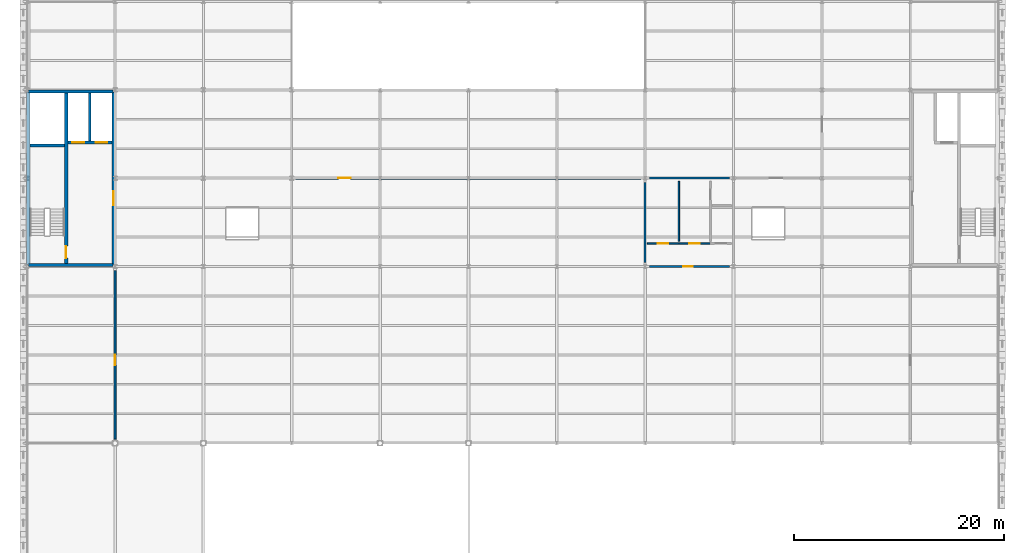
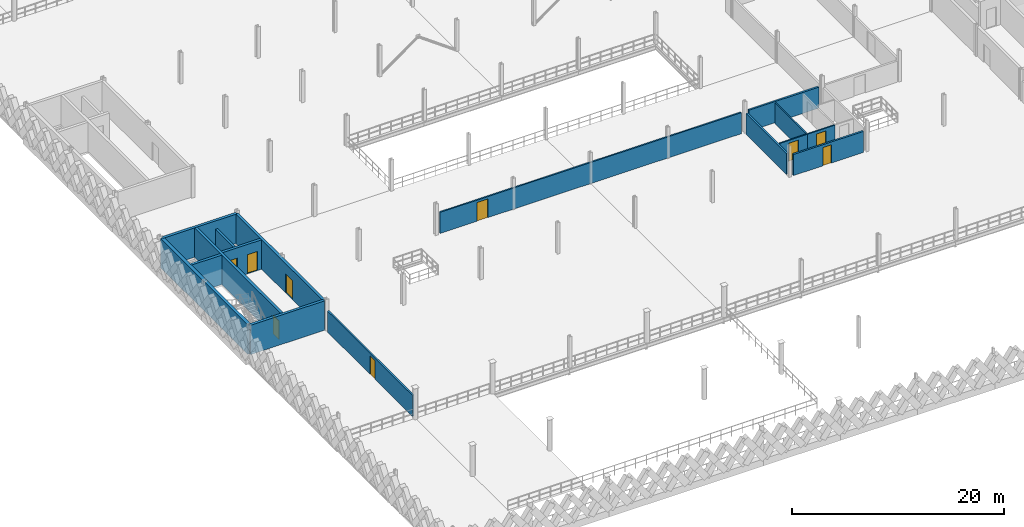
# One storey, part 39 of 47: 16 walls, 9 doors, 9 openings.
"""IFC4 building model written with IfcOpenShell, lengths in metres."""

from ifc_helpers import new_model, si_unit, direction, frame, frame_2d, origin, place, context, subcontext, project, spatial, rectangle, extrude, material, layer, layer_set, type_object, element, fill, save


model = new_model("IFC4")

# Units and contexts
model_context = context("Model", 3, precision=1e-05, world=origin(), true_north=direction((0.0, 1.0)))
body_context = subcontext(model_context, "Body", "Model", "MODEL_VIEW")
ifc_project = project(units=[si_unit("LENGTHUNIT", "METRE"), si_unit("AREAUNIT", "SQUARE_METRE"), si_unit("VOLUMEUNIT", "CUBIC_METRE"), si_unit("PLANEANGLEUNIT", "RADIAN"), si_unit("MASSUNIT", "GRAM", prefix="KILO"), si_unit("THERMODYNAMICTEMPERATUREUNIT", "KELVIN"), si_unit("POWERUNIT", "WATT")], contexts=[model_context])

# Site, building, storey
site_placement = place(None, origin())
site = spatial("IfcSite", under=ifc_project, at=site_placement, CompositionType="ELEMENT")
building_placement = place(site_placement, origin())
building = spatial("IfcBuilding", under=site, at=building_placement, Name="Tembeka Court Mobility Hub", CompositionType="ELEMENT")
storey_placement = place(building_placement, frame((0.0, 0.0, 19.800048828125)))
storey = spatial("IfcBuildingStorey", under=building, at=storey_placement, Name="L05", CompositionType="ELEMENT", Elevation=19.800048828125)

# Wall
ifc_material_1 = material(Name="Concrete C40/50", Category="concrete")
ifc_layer_1 = layer(ifc_material_1, 0.25)
ifc_layer_set_1 = layer_set([ifc_layer_1], Name="Concrete C40/50")
wall_type_1 = type_object("IfcWallType", Name="WL-IW01", PredefinedType="PARTITIONING", material=ifc_layer_set_1)
wall_1_placement = place(storey_placement, frame((6.0, 50.35009765625, 0.0), z_axis=(0.0, 0.0, 1.0), x_axis=(0.0, 1.0, 0.0)))
element("IfcWall", 1, at=wall_1_placement, inside=storey, type_object=wall_type_1, Name="Wall IW01 (IW-L05-0056)", PredefinedType="PARTITIONING", context=body_context, shape_type="SweptSolid", body=[
    extrude(rectangle(XDim=4.5498046875, YDim=0.25, at=frame_2d((2.27490234375, 0.0))), origin(), (0.0, 0.0, 1.0), 2.425048828125),
])

# Wall, opening, door
ifc_material_2 = material(Name="Concrete blockwork masonry", Category="masonry")
ifc_layer_2 = layer(ifc_material_2, 0.199951171875)
ifc_layer_set_2 = layer_set([ifc_layer_2], Name="Concrete blockwork masonry")
wall_type_2 = type_object("IfcWallType", Name="WL-IW02", PredefinedType="PARTITIONING", material=ifc_layer_set_2)
wall_2_placement = place(storey_placement, frame((59.199951171875, 38.39990234375, 0.0), z_axis=(0.0, 0.0, 1.0), x_axis=(1.0, 0.0, 0.0)))
wall_2 = element("IfcWall", 2, at=wall_2_placement, inside=storey, type_object=wall_type_2, Name="Wall IW02 (IW-L05-0396)", PredefinedType="PARTITIONING", context=body_context, shape_type="SweptSolid", body=[
    extrude(rectangle(XDim=7.60009765625, YDim=0.199951171875, at=frame_2d((3.800048828125, 0.0))), origin(), (0.0, 0.0, 1.0), 2.425048828125),
])
opening_1_placement = place(wall_2_placement, frame((3.199951171875, 0.0, 0.0)))
opening_1 = element("IfcOpeningElement", 3, at=opening_1_placement, cuts=wall_2, Name="Opening ID03", PredefinedType="OPENING", context=body_context, shape_type="SweptSolid", body=[
    extrude(rectangle(XDim=0.919921875, YDim=2.10009765625, at=frame_2d((0.4599609375, 1.050048828125))), frame((0.0, 0.10986328125, 0.0), z_axis=(0.0, -1.0, 0.0), x_axis=(1.0, 0.0, 0.0)), (0.0, 0.0, 1.0), 0.219970703125),
])
ifc_material_3 = material(Name="Galvanised steel fire/shutter doorset", Category="steel")
door_type_1 = type_object("IfcDoorType", Name="DR-ID03", OperationType="NOTDEFINED", PredefinedType="DOOR", material=ifc_material_3)
door_1_placement = place(opening_1_placement, origin())
door_1 = element("IfcDoor", 4, at=door_1_placement, inside=storey, type_object=door_type_1, Name="L05 washroom lobby entrance", OperationType="SINGLE_SWING_LEFT", OverallHeight=2.10009765625, OverallWidth=0.919921875, PredefinedType="DOOR", context=body_context, shape_type="SweptSolid", body=[
    extrude(rectangle(XDim=0.919921875, YDim=2.10009765625, at=frame_2d((0.4599609375, 1.050048828125))), frame((0.0, 0.02490234375, 0.0), z_axis=(0.0, -1.0, 0.0), x_axis=(1.0, 0.0, 0.0)), (0.0, 0.0, 1.0), 0.050048828125),
])
fill(opening_1, door_1)

# Walls
wall_3_placement = place(storey_placement, frame((59.199951171875, 46.800048828125, 0.0), z_axis=(0.0, 0.0, 1.0), x_axis=(1.0, 0.0, 0.0)))
element("IfcWall", 5, at=wall_3_placement, inside=storey, type_object=wall_type_2, Name="Wall IW02 (IW-L05-0397)", PredefinedType="PARTITIONING", context=body_context, shape_type="SweptSolid", body=[
    extrude(rectangle(XDim=7.60009765625, YDim=0.199951171875, at=frame_2d((3.800048828125, 0.0))), origin(), (0.0, 0.0, 1.0), 2.425048828125),
])
wall_4_placement = place(storey_placement, frame((58.800048828125, 38.800048828125, 0.0), z_axis=(0.0, 0.0, 1.0), x_axis=(0.0, 1.0, 0.0)))
element("IfcWall", 6, at=wall_4_placement, inside=storey, type_object=wall_type_2, Name="Wall IW02 (IW-L05-0398)", PredefinedType="PARTITIONING", context=body_context, shape_type="SweptSolid", body=[
    extrude(rectangle(XDim=7.599853515625, YDim=0.199951171875, at=frame_2d((3.7998046875, 0.0))), origin(), (0.0, 0.0, 1.0), 2.425048828125),
])

# Wall, opening, door
ifc_layer_3 = layer(ifc_material_2, 0.179931640625)
ifc_layer_set_3 = layer_set([ifc_layer_3], Name="Concrete blockwork masonry")
wall_type_3 = type_object("IfcWallType", Name="WL-IW03", PredefinedType="PARTITIONING", material=ifc_layer_set_3)
wall_5_placement = place(storey_placement, frame((8.39990234375, 22.0, 0.0), z_axis=(0.0, 0.0, 1.0), x_axis=(0.0, 1.0, 0.0)))
wall_5 = element("IfcWall", 7, at=wall_5_placement, inside=storey, type_object=wall_type_3, Name="Wall IW03 (IW-L05-0448)", PredefinedType="PARTITIONING", context=body_context, shape_type="SweptSolid", body=[
    extrude(rectangle(XDim=16.0, YDim=0.179931640625, at=frame_2d((8.0, 0.0))), origin(), (0.0, 0.0, 1.0), 2.425048828125),
])
opening_2_placement = place(wall_5_placement, frame((7.0, 0.0, 0.0)))
opening_2 = element("IfcOpeningElement", 8, at=opening_2_placement, cuts=wall_5, Name="Opening FD05", PredefinedType="OPENING", context=body_context, shape_type="SweptSolid", body=[
    extrude(rectangle(XDim=1.0, YDim=2.14990234375, at=frame_2d((0.5, 1.074951171875))), frame((0.0, 0.10009765625, 0.0), z_axis=(0.0, -1.0, 0.0), x_axis=(1.0, 0.0, 0.0)), (0.0, 0.0, 1.0), 0.199951171875),
])
door_type_2 = type_object("IfcDoorType", Name="DR-FD05", OperationType="NOTDEFINED", PredefinedType="DOOR", material=ifc_material_3)
door_2_placement = place(opening_2_placement, origin())
door_2 = element("IfcDoor", 9, at=door_2_placement, inside=storey, type_object=door_type_2, Name="Door FD05-0221", OperationType="SINGLE_SWING_RIGHT", OverallHeight=2.14990234375, OverallWidth=1.0, PredefinedType="DOOR", context=body_context, shape_type="SweptSolid", body=[
    extrude(rectangle(XDim=1.0, YDim=2.14990234375, at=frame_2d((0.5, 1.074951171875))), frame((0.0, 0.02490234375, 0.0), z_axis=(0.0, -1.0, 0.0), x_axis=(1.0, 0.0, 0.0)), (0.0, 0.0, 1.0), 0.050048828125),
])
fill(opening_2, door_2)

ifc_material_4 = material(Name="Acoustic metal-stud gypsum partition", Category="masonry")
ifc_layer_4 = layer(ifc_material_4, 0.159912109375)
ifc_layer_set_4 = layer_set([ifc_layer_4], Name="Acoustic metal-stud gypsum partition")
wall_type_4 = type_object("IfcWallType", Name="WL-IW04", PredefinedType="PARTITIONING", material=ifc_layer_set_4)
wall_6_placement = place(storey_placement, frame((25.60009765625, 46.800048828125, 0.0), z_axis=(0.0, 0.0, 1.0), x_axis=(1.0, 0.0, 0.0)))
wall_6 = element("IfcWall", 10, at=wall_6_placement, inside=storey, type_object=wall_type_4, Name="Wall IW04 (IW-L05-0450)", PredefinedType="PARTITIONING", context=body_context, shape_type="SweptSolid", body=[
    extrude(rectangle(XDim=32.7998046875, YDim=0.159912109375, at=frame_2d((16.39990234375, 0.0))), origin(), (0.0, 0.0, 1.0), 2.425048828125),
])
opening_3_placement = place(wall_6_placement, frame((4.0, 0.0, 0.0)))
opening_3 = element("IfcOpeningElement", 11, at=opening_3_placement, cuts=wall_6, Name="Opening ID04", PredefinedType="OPENING", context=body_context, shape_type="SweptSolid", body=[
    extrude(rectangle(XDim=1.199951171875, YDim=2.14990234375, at=frame_2d((0.60009765625, 1.074951171875))), frame((0.0, 0.08984375, 0.0), z_axis=(0.0, -1.0, 0.0), x_axis=(1.0, 0.0, 0.0)), (0.0, 0.0, 1.0), 0.179931640625),
])
ifc_material_5 = material(Name="Powder-coated aluminium glazed doorset", Category="aluminium")
door_type_3 = type_object("IfcDoorType", Name="DR-ID04", OperationType="NOTDEFINED", PredefinedType="DOOR", material=ifc_material_5)
door_3_placement = place(opening_3_placement, origin())
door_3 = element("IfcDoor", 12, at=door_3_placement, inside=storey, type_object=door_type_3, Name="Door ID04-0223", OperationType="SINGLE_SWING_RIGHT", OverallHeight=2.14990234375, OverallWidth=1.199951171875, PredefinedType="DOOR", context=body_context, shape_type="SweptSolid", body=[
    extrude(rectangle(XDim=1.199951171875, YDim=2.14990234375, at=frame_2d((0.60009765625, 1.074951171875))), frame((0.0, 0.02490234375, 0.0), z_axis=(0.0, -1.0, 0.0), x_axis=(1.0, 0.0, 0.0)), (0.0, 0.0, 1.0), 0.050048828125),
])
fill(opening_3, door_3)

ifc_material_6 = material(Name="Moisture-resistant gypsum partition", Category="masonry")
ifc_layer_5 = layer(ifc_material_6, 0.139892578125)
ifc_layer_set_5 = layer_set([ifc_layer_5], Name="Moisture-resistant gypsum partition")
wall_type_5 = type_object("IfcWallType", Name="WL-IW05", PredefinedType="PARTITIONING", material=ifc_layer_set_5)
wall_7_placement = place(storey_placement, frame((59.0, 40.60009765625, 0.0), z_axis=(0.0, 0.0, 1.0), x_axis=(1.0, 0.0, 0.0)))
wall_7 = element("IfcWall", 13, at=wall_7_placement, inside=storey, type_object=wall_type_5, Name="Wall IW05 (IW-L05-0400)", PredefinedType="PARTITIONING", context=body_context, shape_type="SweptSolid", body=[
    extrude(rectangle(XDim=3.0, YDim=0.139892578125, at=frame_2d((1.5, 0.0))), origin(), (0.0, 0.0, 1.0), 2.425048828125),
])
opening_4_placement = place(wall_7_placement, frame((1.0, 0.0, 0.0)))
opening_4 = element("IfcOpeningElement", 14, at=opening_4_placement, cuts=wall_7, Name="Opening ID02", PredefinedType="OPENING", context=body_context, shape_type="SweptSolid", body=[
    extrude(rectangle(XDim=1.0, YDim=2.10009765625, at=frame_2d((0.5, 1.050048828125))), frame((0.0, 0.080078125, 0.0), z_axis=(0.0, -1.0, 0.0), x_axis=(1.0, 0.0, 0.0)), (0.0, 0.0, 1.0), 0.159912109375),
])
door_type_4 = type_object("IfcDoorType", Name="DR-ID02", OperationType="NOTDEFINED", PredefinedType="DOOR", material=ifc_material_5)
door_4_placement = place(opening_4_placement, origin())
door_4 = element("IfcDoor", 15, at=door_4_placement, inside=storey, type_object=door_type_4, Name="L05 male WC door", OperationType="SINGLE_SWING_RIGHT", OverallHeight=2.10009765625, OverallWidth=1.0, PredefinedType="DOOR", context=body_context, shape_type="SweptSolid", body=[
    extrude(rectangle(XDim=1.0, YDim=2.10009765625, at=frame_2d((0.5, 1.050048828125))), frame((0.0, 0.02490234375, 0.0), z_axis=(0.0, -1.0, 0.0), x_axis=(1.0, 0.0, 0.0)), (0.0, 0.0, 1.0), 0.050048828125),
])
fill(opening_4, door_4)

wall_8_placement = place(storey_placement, frame((62.0, 40.60009765625, 0.0), z_axis=(0.0, 0.0, 1.0), x_axis=(1.0, 0.0, 0.0)))
wall_8 = element("IfcWall", 16, at=wall_8_placement, inside=storey, type_object=wall_type_5, Name="Wall IW05 (IW-L05-0401)", PredefinedType="PARTITIONING", context=body_context, shape_type="SweptSolid", body=[
    extrude(rectangle(XDim=3.0, YDim=0.139892578125, at=frame_2d((1.5, 0.0))), origin(), (0.0, 0.0, 1.0), 2.425048828125),
])
opening_5_placement = place(wall_8_placement, frame((1.0, 0.0, 0.0)))
opening_5 = element("IfcOpeningElement", 17, at=opening_5_placement, cuts=wall_8, Name="Opening ID02", PredefinedType="OPENING", context=body_context, shape_type="SweptSolid", body=[
    extrude(rectangle(XDim=1.0, YDim=2.10009765625, at=frame_2d((0.5, 1.050048828125))), frame((0.0, 0.080078125, 0.0), z_axis=(0.0, -1.0, 0.0), x_axis=(1.0, 0.0, 0.0)), (0.0, 0.0, 1.0), 0.159912109375),
])
door_5_placement = place(opening_5_placement, origin())
door_5 = element("IfcDoor", 18, at=door_5_placement, inside=storey, type_object=door_type_4, Name="L05 female WC door", OperationType="SINGLE_SWING_LEFT", OverallHeight=2.10009765625, OverallWidth=1.0, PredefinedType="DOOR", context=body_context, shape_type="SweptSolid", body=[
    extrude(rectangle(XDim=1.0, YDim=2.10009765625, at=frame_2d((0.5, 1.050048828125))), frame((0.0, 0.02490234375, 0.0), z_axis=(0.0, -1.0, 0.0), x_axis=(1.0, 0.0, 0.0)), (0.0, 0.0, 1.0), 0.050048828125),
])
fill(opening_5, door_5)

# Walls
wall_9_placement = place(storey_placement, frame((62.0, 40.800048828125, 0.0), z_axis=(0.0, 0.0, 1.0), x_axis=(0.0, 1.0, 0.0)))
element("IfcWall", 19, at=wall_9_placement, inside=storey, type_object=wall_type_5, Name="Wall IW05 (IW-L05-0403)", PredefinedType="PARTITIONING", context=body_context, shape_type="SweptSolid", body=[
    extrude(rectangle(XDim=5.699951171875, YDim=0.139892578125, at=frame_2d((2.85009765625, 0.0))), origin(), (0.0, 0.0, 1.0), 2.425048828125),
])
ifc_layer_6 = layer(ifc_material_1, 0.300048828125)
ifc_layer_set_6 = layer_set([ifc_layer_6], Name="Concrete C40/50")
wall_type_6 = type_object("IfcWallType", Name="WL-SW01", PredefinedType="SHEAR", material=ifc_layer_set_6)
for number, where, z_axis, x_axis, name in (
    (20, (0.1845703125, 38.550048828125, 0.0), (0.0, 0.0, 1.0), (1.0, 0.0, 0.0), "Wall SW01 (IW-L05-0049)"),
    (21, (0.1845703125, 55.050048828125, 0.0), (0.0, 0.0, 1.0), (1.0, 0.0, 0.0), "Wall SW01 (IW-L05-0050)"),
):
    element("IfcWall", number, at=place(storey_placement, frame(where, z_axis=z_axis, x_axis=x_axis)), inside=storey, type_object=wall_type_6, Name=name, PredefinedType="SHEAR", context=body_context, shape_type="SweptSolid", body=[
        extrude(rectangle(XDim=8.031005859375, YDim=0.300048828125, at=frame_2d((4.015625, 0.0))), origin(), (0.0, 0.0, 1.0), 3.3798828125),
    ])
wall_10_placement = place(storey_placement, frame((0.300048828125, 49.89990234375, 0.0), z_axis=(0.0, 0.0, 1.0), x_axis=(1.0, 0.0, 0.0)))
element("IfcWall", 22, at=wall_10_placement, inside=storey, type_object=wall_type_6, Name="Wall SW01 (IW-L05-0051)", PredefinedType="SHEAR", context=body_context, shape_type="SweptSolid", body=[
    extrude(rectangle(XDim=3.300048828125, YDim=0.300048828125, at=frame_2d((1.64990234375, 0.0))), origin(), (0.0, 0.0, 1.0), 3.3798828125),
])

# Wall, opening, door
wall_11_placement = place(storey_placement, frame((8.25, 38.58203125, 0.0), z_axis=(0.0, 0.0, 1.0), x_axis=(0.0, 1.0, 0.0)))
wall_11 = element("IfcWall", 23, at=wall_11_placement, inside=storey, type_object=wall_type_6, Name="Wall SW01 (IW-L05-0053)", PredefinedType="SHEAR", context=body_context, shape_type="SweptSolid", body=[
    extrude(rectangle(XDim=16.43603515625, YDim=0.300048828125, at=frame_2d((8.218017578125, 0.0))), origin(), (0.0, 0.0, 1.0), 3.3798828125),
])
opening_6_placement = place(wall_11_placement, frame((5.66796875, 0.0, 0.0)))
opening_6 = element("IfcOpeningElement", 24, at=opening_6_placement, cuts=wall_11, Name="Opening FD02", PredefinedType="OPENING", context=body_context, shape_type="SweptSolid", body=[
    extrude(rectangle(XDim=1.300048828125, YDim=2.199951171875, at=frame_2d((0.64990234375, 1.10009765625))), frame((0.0, 0.16015625, 0.0), z_axis=(0.0, -1.0, 0.0), x_axis=(1.0, 0.0, 0.0)), (0.0, 0.0, 1.0), 0.320068359375),
])
door_type_5 = type_object("IfcDoorType", Name="DR-FD02", OperationType="NOTDEFINED", PredefinedType="DOOR", material=ifc_material_3)
door_6_placement = place(opening_6_placement, origin())
door_6 = element("IfcDoor", 25, at=door_6_placement, inside=storey, type_object=door_type_5, Name="Door FD02-0026", OperationType="SINGLE_SWING_RIGHT", OverallHeight=2.199951171875, OverallWidth=1.300048828125, PredefinedType="DOOR", context=body_context, shape_type="SweptSolid", body=[
    extrude(rectangle(XDim=1.300048828125, YDim=2.199951171875, at=frame_2d((0.64990234375, 1.10009765625))), frame((0.0, 0.02490234375, 0.0), z_axis=(0.0, -1.0, 0.0), x_axis=(1.0, 0.0, 0.0)), (0.0, 0.0, 1.0), 0.050048828125),
])
fill(opening_6, door_6)

wall_12_placement = place(storey_placement, frame((3.75, 38.699951171875, 0.0), z_axis=(0.0, 0.0, 1.0), x_axis=(0.0, 1.0, 0.0)))
wall_12 = element("IfcWall", 26, at=wall_12_placement, inside=storey, type_object=wall_type_6, Name="Wall SW01 (IW-L05-0054)", PredefinedType="SHEAR", context=body_context, shape_type="SweptSolid", body=[
    extrude(rectangle(XDim=16.199951171875, YDim=0.300048828125, at=frame_2d((8.10009765625, 0.0))), origin(), (0.0, 0.0, 1.0), 3.3798828125),
])
opening_7_placement = place(wall_12_placement, frame((0.5, 0.0, 0.0)))
opening_7 = element("IfcOpeningElement", 27, at=opening_7_placement, cuts=wall_12, Name="Opening FD03", PredefinedType="OPENING", context=body_context, shape_type="SweptSolid", body=[
    extrude(rectangle(XDim=1.14990234375, YDim=2.14990234375, at=frame_2d((0.574951171875, 1.074951171875))), frame((0.0, 0.16015625, 0.0), z_axis=(0.0, -1.0, 0.0), x_axis=(1.0, 0.0, 0.0)), (0.0, 0.0, 1.0), 0.320068359375),
])
door_type_6 = type_object("IfcDoorType", Name="DR-FD03", OperationType="NOTDEFINED", PredefinedType="DOOR", material=ifc_material_3)
door_7_placement = place(opening_7_placement, frame((1.14990234375, 0.0, 0.0), z_axis=(0.0, 0.0, 1.0), x_axis=(-1.0, 0.0, 0.0)))
door_7 = element("IfcDoor", 28, at=door_7_placement, inside=storey, type_object=door_type_6, Name="Door FD03-0027", OperationType="SINGLE_SWING_LEFT", OverallHeight=2.14990234375, OverallWidth=1.14990234375, PredefinedType="DOOR", context=body_context, shape_type="SweptSolid", body=[
    extrude(rectangle(XDim=1.14990234375, YDim=2.14990234375, at=frame_2d((0.574951171875, 1.074951171875))), frame((0.0, 0.02490234375, 0.0), z_axis=(0.0, -1.0, 0.0), x_axis=(1.0, 0.0, 0.0)), (0.0, 0.0, 1.0), 0.050048828125),
])
fill(opening_7, door_7)

# Wall, openings, doors
wall_13_placement = place(storey_placement, frame((3.89990234375, 50.199951171875, 0.0), z_axis=(0.0, 0.0, 1.0), x_axis=(1.0, 0.0, 0.0)))
wall_13 = element("IfcWall", 29, at=wall_13_placement, inside=storey, type_object=wall_type_6, Name="Wall SW01 (IW-L05-0055)", PredefinedType="SHEAR", context=body_context, shape_type="SweptSolid", body=[
    extrude(rectangle(XDim=4.2001953125, YDim=0.300048828125, at=frame_2d((2.10009765625, 0.0))), origin(), (0.0, 0.0, 1.0), 3.3798828125),
])
opening_8_placement = place(wall_13_placement, frame((0.449951171875, 0.0, 0.0)))
opening_8 = element("IfcOpeningElement", 30, at=opening_8_placement, cuts=wall_13, Name="Opening LD01", PredefinedType="OPENING", context=body_context, shape_type="SweptSolid", body=[
    extrude(rectangle(XDim=1.10009765625, YDim=2.199951171875, at=frame_2d((0.550048828125, 1.10009765625))), frame((0.0, 0.16015625, 0.0), z_axis=(0.0, -1.0, 0.0), x_axis=(1.0, 0.0, 0.0)), (0.0, 0.0, 1.0), 0.320068359375),
])
opening_9_placement = place(wall_13_placement, frame((2.64990234375, 0.0, 0.0)))
opening_9 = element("IfcOpeningElement", 31, at=opening_9_placement, cuts=wall_13, Name="Opening LD01", PredefinedType="OPENING", context=body_context, shape_type="SweptSolid", body=[
    extrude(rectangle(XDim=1.10009765625, YDim=2.199951171875, at=frame_2d((0.550048828125, 1.10009765625))), frame((0.0, 0.16015625, 0.0), z_axis=(0.0, -1.0, 0.0), x_axis=(1.0, 0.0, 0.0)), (0.0, 0.0, 1.0), 0.320068359375),
])
door_type_7 = type_object("IfcDoorType", Name="DR-LD01", OperationType="SLIDING_TO_LEFT", PredefinedType="DOOR", material=ifc_material_3)
door_8_placement = place(opening_8_placement, origin())
door_8 = element("IfcDoor", 32, at=door_8_placement, inside=storey, type_object=door_type_7, Name="Lift LF01 landing door L05", OperationType="SLIDING_TO_LEFT", OverallHeight=2.199951171875, OverallWidth=1.10009765625, PredefinedType="DOOR", context=body_context, shape_type="SweptSolid", body=[
    extrude(rectangle(XDim=1.10009765625, YDim=2.199951171875, at=frame_2d((0.550048828125, 1.10009765625))), frame((0.0, 0.02490234375, 0.0), z_axis=(0.0, -1.0, 0.0), x_axis=(1.0, 0.0, 0.0)), (0.0, 0.0, 1.0), 0.050048828125),
])
fill(opening_8, door_8)
door_9_placement = place(opening_9_placement, origin())
door_9 = element("IfcDoor", 33, at=door_9_placement, inside=storey, type_object=door_type_7, Name="Lift LF03 landing door L05", OperationType="SLIDING_TO_LEFT", OverallHeight=2.199951171875, OverallWidth=1.10009765625, PredefinedType="DOOR", context=body_context, shape_type="SweptSolid", body=[
    extrude(rectangle(XDim=1.10009765625, YDim=2.199951171875, at=frame_2d((0.550048828125, 1.10009765625))), frame((0.0, 0.02490234375, 0.0), z_axis=(0.0, -1.0, 0.0), x_axis=(1.0, 0.0, 0.0)), (0.0, 0.0, 1.0), 0.050048828125),
])
fill(opening_9, door_9)

# Wall
ifc_layer_7 = layer(ifc_material_1, 0.35009765625)
ifc_layer_set_7 = layer_set([ifc_layer_7], Name="Concrete C40/50")
wall_type_7 = type_object("IfcWallType", Name="WL-SW02", PredefinedType="SHEAR", material=ifc_layer_set_7)
wall_14_placement = place(storey_placement, frame((0.14990234375, 38.58203125, 0.0), z_axis=(0.0, 0.0, 1.0), x_axis=(0.0, 1.0, 0.0)))
element("IfcWall", 34, at=wall_14_placement, inside=storey, type_object=wall_type_7, Name="Wall SW02 (IW-L05-0052)", PredefinedType="SHEAR", context=body_context, shape_type="SweptSolid", body=[
    extrude(rectangle(XDim=16.43603515625, YDim=0.35009765625, at=frame_2d((8.218017578125, 0.0))), origin(), (0.0, 0.0, 1.0), 3.3798828125),
])

save(model, "model.ifc")
